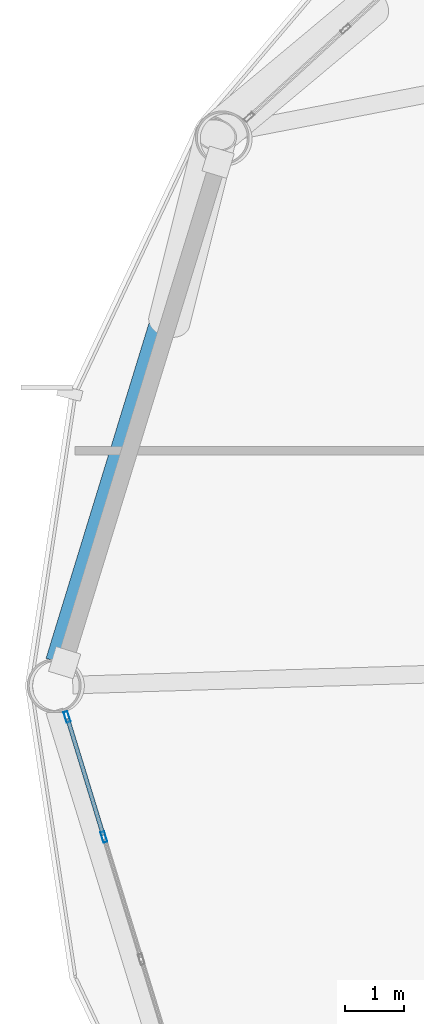
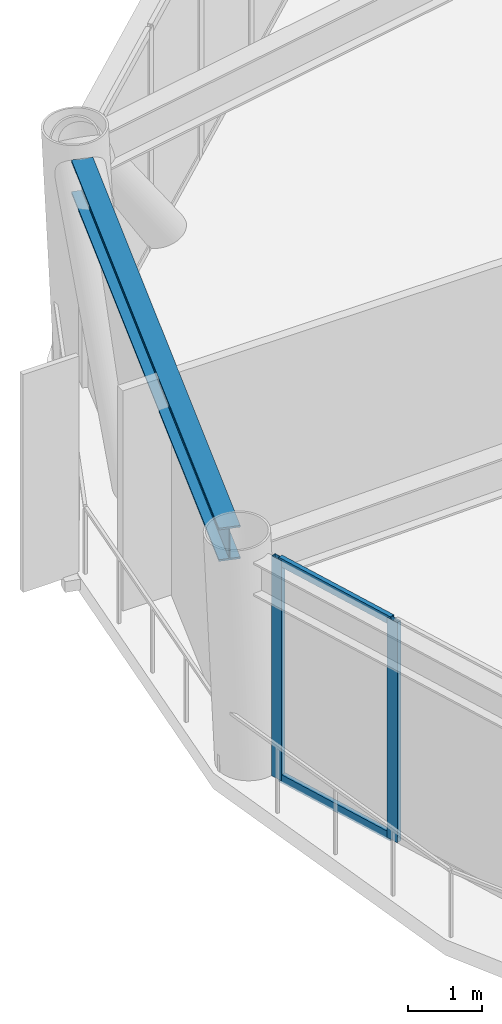
# One storey, part 10 of 25: 4 members, 1 beam, 1 element without a shape of its own.
"""IFC4 building model written with IfcOpenShell, lengths in metres."""

from ifc_helpers import new_model, si_unit, direction, frame, origin, origin_2d, place, context, subcontext, project, spatial, hollow_rectangle, i_section, extrude, material, layer, layer_set, material_profile, profile_set, type_object, element, aggregate, save


model = new_model("IFC4")

# Units and contexts
model_context = context("Model", 3, precision=1e-05, world=origin(), true_north=direction((0.0, 1.0)))
body_context = subcontext(model_context, "Body", "Model", "MODEL_VIEW")
ifc_project = project(units=[si_unit("LENGTHUNIT", "METRE"), si_unit("AREAUNIT", "SQUARE_METRE"), si_unit("VOLUMEUNIT", "CUBIC_METRE"), si_unit("PLANEANGLEUNIT", "RADIAN"), si_unit("MASSUNIT", "GRAM", prefix="KILO")], contexts=[model_context])

# Site, building, storey
site_placement = place(None, origin())
site = spatial("IfcSite", under=ifc_project, at=site_placement, CompositionType="ELEMENT")
building_placement = place(site_placement, origin())
building = spatial("IfcBuilding", under=site, at=building_placement, Name="Varnakorn Sky Granary", CompositionType="ELEMENT")
storey_placement = place(building_placement, frame((0.0, 0.0, 35.39990234375)))
storey = spatial("IfcBuildingStorey", under=building, at=storey_placement, Name="L08", CompositionType="ELEMENT", Elevation=35.39990234375)

# Beam
ifc_material_1 = material(Name="Steel S355JR", Category="steel")
ifc_material_profile_1 = material_profile(ifc_material_1, i_section(OverallWidth=0.300048828125, OverallDepth=0.550048828125, WebThickness=0.014892578125, FlangeThickness=0.029052734375, at=origin_2d()), Name="HE 550 B")
ifc_profile_set_1 = profile_set([ifc_material_profile_1], Name="Steel S355JR")
beam_type = type_object("IfcBeamType", Name="BM-SPD-Z1", PredefinedType="SPANDREL", material=ifc_profile_set_1)
beam_placement = place(storey_placement, frame((-19.358154296875, 8.951416015625, 3.364990234375), z_axis=(-0.293462750827, -0.955970508895, 0.0), x_axis=(0.955970508895, -0.293462750827, 0.0)))
element("IfcBeam", 1, at=beam_placement, inside=storey, type_object=beam_type, Name="Perimeter Spandrel Ring Beam RB06 L08", PredefinedType="SPANDREL", context=body_context, shape_type="SweptSolid", body=[
    extrude(i_section(OverallWidth=0.300048828125, OverallDepth=0.550048828125, WebThickness=0.014892578125, FlangeThickness=0.029052734375, at=origin_2d()), origin(), (0.0, 0.0, 1.0), 8.921630859375),
])

# Curtain wall, members
ifc_material_2 = material(Name="Anodised Bronze Aluminium Alloy 6063-T6", Category="aluminium")
ifc_layer = layer(ifc_material_2, 0.18994140625, Name="Anodised Bronze Aluminium Alloy 6063-T6")
ifc_layer_set = layer_set([ifc_layer], Name="Anodised Bronze Aluminium Alloy 6063-T6")
curtain_wall_type = type_object("IfcCurtainWallType", Name="CW-FRM-1", PredefinedType="USERDEFINED", material=ifc_layer_set)
curtain_wall_placement = place(storey_placement, origin())
curtain_wall = element("IfcCurtainWall", 2, at=curtain_wall_placement, inside=storey, type_object=curtain_wall_type, Name="Unitised Curtain Wall CW3 CW-L08-B07", ObjectType="CURTAIN WALL", PredefinedType="USERDEFINED")
ifc_material_profile_2 = material_profile(ifc_material_2, hollow_rectangle(XDim=0.070068359375, YDim=0.18505859375, WallThickness=0.00390625, at=origin_2d()), Name="ALU MULL 70x185")
ifc_profile_set_2 = profile_set([ifc_material_profile_2], Name="Anodised Bronze Aluminium Alloy 6063-T6")
member_type_1 = type_object("IfcMemberType", Name="CW-FRM-1-MULL", PredefinedType="MULLION", material=ifc_profile_set_2)
member_1_placement = place(storey_placement, frame((-21.135009765625, -2.572998046875, 0.0), z_axis=(0.0, 0.0, 1.0), x_axis=(-0.956046128489, -0.293216302756, 0.0)))
member_1 = element("IfcMember", 3, at=member_1_placement, type_object=member_type_1, Name="CW3 mullion 4", PredefinedType="MULLION", context=body_context, shape_type="SweptSolid", body=[
    extrude(hollow_rectangle(XDim=0.070068359375, YDim=0.18505859375, WallThickness=0.00390625, at=origin_2d()), origin(), (0.0, 0.0, 1.0), 3.64013671875),
])
member_2_placement = place(storey_placement, frame((-21.76220703125, -0.52783203125, 0.0), z_axis=(0.0, 0.0, 1.0), x_axis=(-0.956046128489, -0.293216302756, 0.0)))
member_2 = element("IfcMember", 4, at=member_2_placement, type_object=member_type_1, Name="CW3 mullion 5", PredefinedType="MULLION", context=body_context, shape_type="SweptSolid", body=[
    extrude(hollow_rectangle(XDim=0.070068359375, YDim=0.18505859375, WallThickness=0.00390625, at=origin_2d()), origin(), (0.0, 0.0, 1.0), 3.64013671875),
])
ifc_material_profile_3 = material_profile(ifc_material_2, hollow_rectangle(XDim=0.070068359375, YDim=0.139892578125, WallThickness=0.00341796875, at=origin_2d()), Name="ALU TRAN 70x140")
ifc_profile_set_3 = profile_set([ifc_material_profile_3], Name="Anodised Bronze Aluminium Alloy 6063-T6")
member_type_2 = type_object("IfcMemberType", Name="CW-FRM-1-TRAN", PredefinedType="USERDEFINED", material=ifc_profile_set_3)
member_3_placement = place(storey_placement, frame((-21.145263671875, -2.53955078125, 0.03515625), z_axis=(-0.293198584778, 0.956051562356, 0.0), x_axis=(-0.956051562356, -0.293198584778, 0.0)))
member_3 = element("IfcMember", 5, at=member_3_placement, type_object=member_type_2, Name="CW3 transom 4.1", ObjectType="TRANSOM", PredefinedType="USERDEFINED", context=body_context, shape_type="SweptSolid", body=[
    extrude(hollow_rectangle(XDim=0.070068359375, YDim=0.139892578125, WallThickness=0.00341796875, at=origin_2d()), origin(), (0.0, 0.0, 1.0), 2.069091796875),
])
member_4_placement = place(storey_placement, frame((-21.145263671875, -2.53955078125, 3.60498046875), z_axis=(-0.293198584778, 0.956051562356, 0.0), x_axis=(-0.956051562356, -0.293198584778, 0.0)))
member_4 = element("IfcMember", 6, at=member_4_placement, type_object=member_type_2, Name="CW3 transom 4.2", ObjectType="TRANSOM", PredefinedType="USERDEFINED", context=body_context, shape_type="SweptSolid", body=[
    extrude(hollow_rectangle(XDim=0.070068359375, YDim=0.139892578125, WallThickness=0.00341796875, at=origin_2d()), origin(), (0.0, 0.0, 1.0), 2.069091796875),
])
aggregate(curtain_wall, [member_1, member_2, member_3, member_4])

save(model, "model.ifc")
